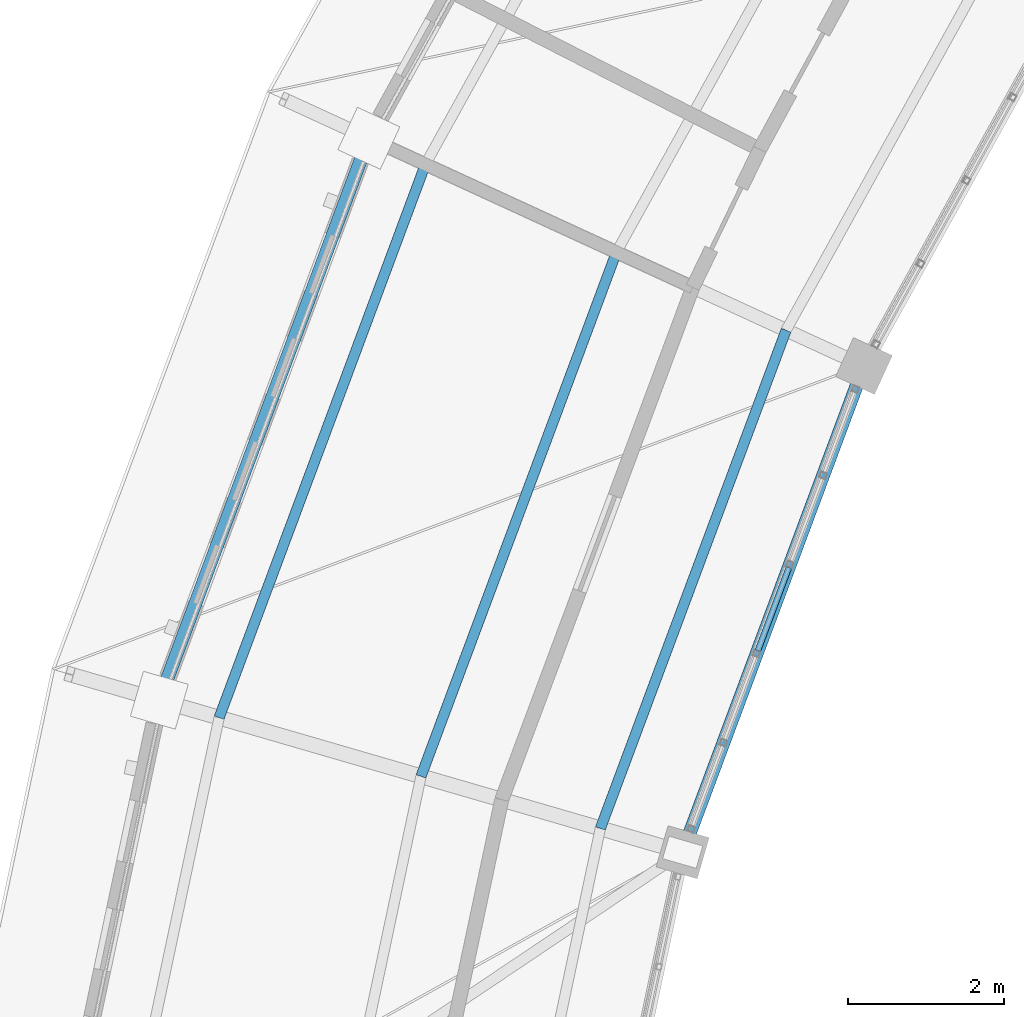
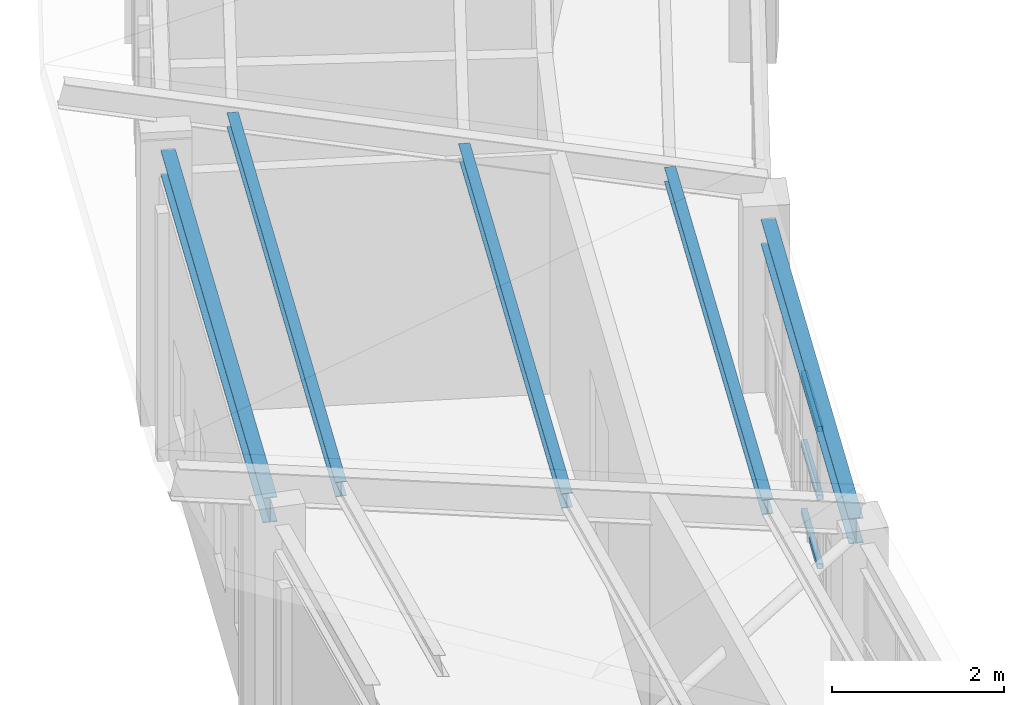
# One storey, part 66 of 149: 6 members, 2 beams, 1 element without a shape of its own.
"""IFC4 building model written with IfcOpenShell, lengths in metres."""

from ifc_helpers import new_model, si_unit, direction, frame, origin, origin_2d, place, context, subcontext, project, spatial, hollow_rectangle, i_section, extrude, material, material_profile, profile_set, type_object, element, aggregate, save


model = new_model("IFC4")

# Units and contexts
model_context = context("Model", 3, precision=1e-05, world=origin(), true_north=direction((0.0, 1.0)))
body_context = subcontext(model_context, "Body", "Model", "MODEL_VIEW")
ifc_project = project(units=[si_unit("LENGTHUNIT", "METRE"), si_unit("AREAUNIT", "SQUARE_METRE"), si_unit("VOLUMEUNIT", "CUBIC_METRE"), si_unit("PLANEANGLEUNIT", "RADIAN"), si_unit("MASSUNIT", "GRAM", prefix="KILO")], contexts=[model_context])

# Site, building, storey
site_placement = place(None, origin())
site = spatial("IfcSite", under=ifc_project, at=site_placement, CompositionType="ELEMENT")
building_placement = place(site_placement, origin())
building = spatial("IfcBuilding", under=site, at=building_placement, Name="Celadon Cloister-Ring School", CompositionType="ELEMENT")
storey_placement = place(building_placement, frame((0.0, 0.0, 12.5)))
storey = spatial("IfcBuildingStorey", under=building, at=storey_placement, Name="L03", CompositionType="ELEMENT", Elevation=12.5)

# Curtain wall, members
ifc_material_1 = material(Name="Aluminium EN AW-6063 T6", Category="aluminium")
curtain_wall_type = type_object("IfcCurtainWallType", Name="CW-02", PredefinedType="USERDEFINED", material=ifc_material_1)
curtain_wall_placement = place(storey_placement, origin())
curtain_wall = element("IfcCurtainWall", 1, at=curtain_wall_placement, inside=storey, type_object=curtain_wall_type, Name="Curtain Wall 0048", ObjectType="CURTAIN WALL", PredefinedType="USERDEFINED")
ifc_material_2 = material(Name="Aluminium EN AW-6063 T6", Category="aluminium")
ifc_material_profile_1 = material_profile(ifc_material_2, hollow_rectangle(XDim=0.074951171875, YDim=0.074951171875, WallThickness=0.00390625, at=origin_2d()), Name="RHS75X75X4")
ifc_profile_set_1 = profile_set([ifc_material_profile_1], Name="Aluminium EN AW-6063 T6")
member_type_1 = type_object("IfcMemberType", Name="CTM-03", PredefinedType="USERDEFINED", material=ifc_profile_set_1)
member_1_placement = place(storey_placement, frame((45.151123046875, 75.212890625, 0.03759765625), z_axis=(-0.349576513866, -0.936907818813, 0.0), x_axis=(0.936907818813, -0.349576513866, 0.0)))
member_1 = element("IfcMember", 2, at=member_1_placement, type_object=member_type_1, Name="CW-02 transom 3.1", ObjectType="TRANSOM", PredefinedType="USERDEFINED", context=body_context, shape_type="SweptSolid", body=[
    extrude(hollow_rectangle(XDim=0.074951171875, YDim=0.074951171875, WallThickness=0.00390625, at=origin_2d()), origin(), (0.0, 0.0, 1.0), 1.141845703125),
])
member_2_placement = place(storey_placement, frame((45.151123046875, 75.212890625, 1.010009765625), z_axis=(-0.349576513866, -0.936907818813, 0.0), x_axis=(0.936907818813, -0.349576513866, 0.0)))
member_2 = element("IfcMember", 3, at=member_2_placement, type_object=member_type_1, Name="CW-02 transom 3.2", ObjectType="TRANSOM", PredefinedType="USERDEFINED", context=body_context, shape_type="SweptSolid", body=[
    extrude(hollow_rectangle(XDim=0.074951171875, YDim=0.074951171875, WallThickness=0.00390625, at=origin_2d()), origin(), (0.0, 0.0, 1.0), 1.141845703125),
])
member_3_placement = place(storey_placement, frame((45.151123046875, 75.212890625, 1.982421875), z_axis=(-0.349576513866, -0.936907818813, 0.0), x_axis=(0.936907818813, -0.349576513866, 0.0)))
member_3 = element("IfcMember", 4, at=member_3_placement, type_object=member_type_1, Name="CW-02 transom 3.3", ObjectType="TRANSOM", PredefinedType="USERDEFINED", context=body_context, shape_type="SweptSolid", body=[
    extrude(hollow_rectangle(XDim=0.074951171875, YDim=0.074951171875, WallThickness=0.00390625, at=origin_2d()), origin(), (0.0, 0.0, 1.0), 1.141845703125),
])
aggregate(curtain_wall, [member_1, member_2, member_3])

# Beam
ifc_material_3 = material(Name="Structural steel S355JR", Category="steel")
ifc_material_profile_2 = material_profile(ifc_material_3, i_section(OverallWidth=0.1708984375, OverallDepth=0.35498046875, WebThickness=0.007080078125, FlangeThickness=0.01171875, at=origin_2d()), Name="W360X51")
ifc_profile_set_2 = profile_set([ifc_material_profile_2], Name="Structural steel S355JR")
beam_type_1 = type_object("IfcBeamType", Name="GT-08", PredefinedType="USERDEFINED", material=ifc_profile_set_2)
beam_1_placement = place(storey_placement, frame((46.029052734375, 77.56689453125, 2.27197265625), z_axis=(-0.349465513072, -0.936949227639, 0.0), x_axis=(0.936949227639, -0.349465513072, 0.0)))
element("IfcBeam", 5, at=beam_1_placement, inside=storey, type_object=beam_type_1, Name="Beam 0533", ObjectType="GIRDER", PredefinedType="USERDEFINED", context=body_context, shape_type="SweptSolid", body=[
    extrude(i_section(OverallWidth=0.1708984375, OverallDepth=0.35498046875, WebThickness=0.007080078125, FlangeThickness=0.01171875, at=origin_2d()), origin(), (0.0, 0.0, 1.0), 6.166748046875),
])

# Members
ifc_material_4 = material(Name="Structural steel S355JR", Category="steel")
ifc_material_profile_3 = material_profile(ifc_material_4, i_section(OverallWidth=0.133056640625, OverallDepth=0.20703125, WebThickness=0.005859375, FlangeThickness=0.00830078125, at=origin_2d()), Name="W200X27")
ifc_profile_set_3 = profile_set([ifc_material_profile_3], Name="Structural steel S355JR")
member_type_2 = type_object("IfcMemberType", Name="MP-04", PredefinedType="PURLIN", material=ifc_profile_set_3)
member_4_placement = place(storey_placement, frame((45.115966796875, 78.260986328125, 2.970947265625), z_axis=(-0.349328728595, -0.93700023446, 0.0), x_axis=(0.93700023446, -0.349328728595, 0.0)))
element("IfcMember", 6, at=member_4_placement, inside=storey, type_object=member_type_2, Name="Structural Member 0096", PredefinedType="PURLIN", context=body_context, shape_type="SweptSolid", body=[
    extrude(i_section(OverallWidth=0.133056640625, OverallDepth=0.20703125, WebThickness=0.005859375, FlangeThickness=0.00830078125, at=origin_2d()), origin(), (0.0, 0.0, 1.0), 6.830322265625),
])
member_5_placement = place(storey_placement, frame((42.93603515625, 79.262939453125, 3.4599609375), z_axis=(-0.349357672628, -0.936989443151, 0.0), x_axis=(0.936989443151, -0.349357672628, 0.0)))
element("IfcMember", 7, at=member_5_placement, inside=storey, type_object=member_type_2, Name="Structural Member 0097", PredefinedType="PURLIN", context=body_context, shape_type="SweptSolid", body=[
    extrude(i_section(OverallWidth=0.133056640625, OverallDepth=0.20703125, WebThickness=0.005859375, FlangeThickness=0.00830078125, at=origin_2d()), origin(), (0.0, 0.0, 1.0), 7.1845703125),
])
member_6_placement = place(storey_placement, frame((40.48291015625, 80.39208984375, 4.073974609375), z_axis=(-0.34931348836, -0.937005916123, 0.0), x_axis=(0.937005916123, -0.34931348836, 0.0)))
element("IfcMember", 8, at=member_6_placement, inside=storey, type_object=member_type_2, Name="Structural Member 0098", PredefinedType="PURLIN", context=body_context, shape_type="SweptSolid", body=[
    extrude(i_section(OverallWidth=0.133056640625, OverallDepth=0.20703125, WebThickness=0.005859375, FlangeThickness=0.00830078125, at=origin_2d()), origin(), (0.0, 0.0, 1.0), 7.5859375),
])

# Beam
ifc_material_5 = material(Name="Structural steel S355JR", Category="steel")
ifc_material_profile_4 = material_profile(ifc_material_5, i_section(OverallWidth=0.1708984375, OverallDepth=0.35498046875, WebThickness=0.007080078125, FlangeThickness=0.01171875, at=origin_2d()), Name="W360X51")
ifc_profile_set_4 = profile_set([ifc_material_profile_4], Name="Structural steel S355JR")
beam_type_2 = type_object("IfcBeamType", Name="SP-04", PredefinedType="SPANDREL", material=ifc_profile_set_4)
beam_2_placement = place(storey_placement, frame((39.659912109375, 80.468017578125, 3.722900390625), z_axis=(-0.349383465048, -0.936979826011, 0.0), x_axis=(0.936979826011, -0.349383465048, 0.0)))
element("IfcBeam", 9, at=beam_2_placement, inside=storey, type_object=beam_type_2, Name="Beam 0532", PredefinedType="SPANDREL", context=body_context, shape_type="SweptSolid", body=[
    extrude(i_section(OverallWidth=0.1708984375, OverallDepth=0.35498046875, WebThickness=0.007080078125, FlangeThickness=0.01171875, at=origin_2d()), origin(), (0.0, 0.0, 1.0), 7.152587890625),
])

save(model, "model.ifc")
